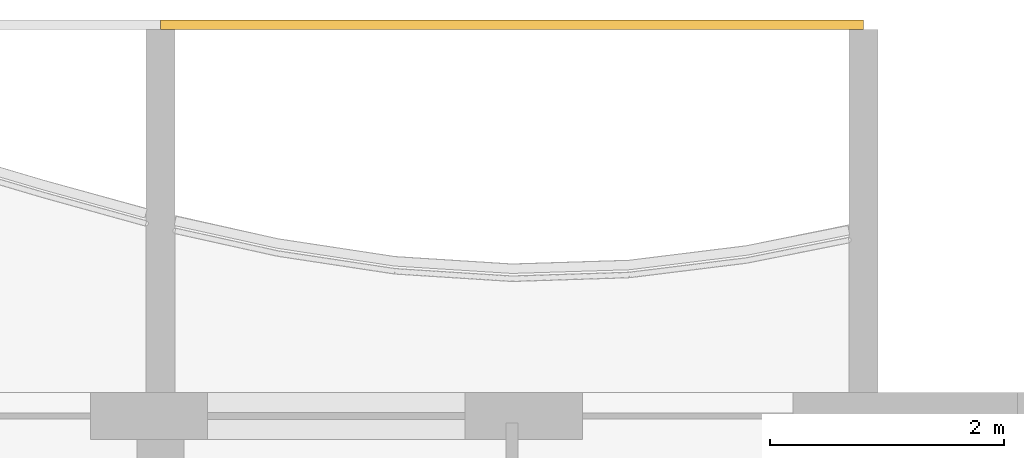
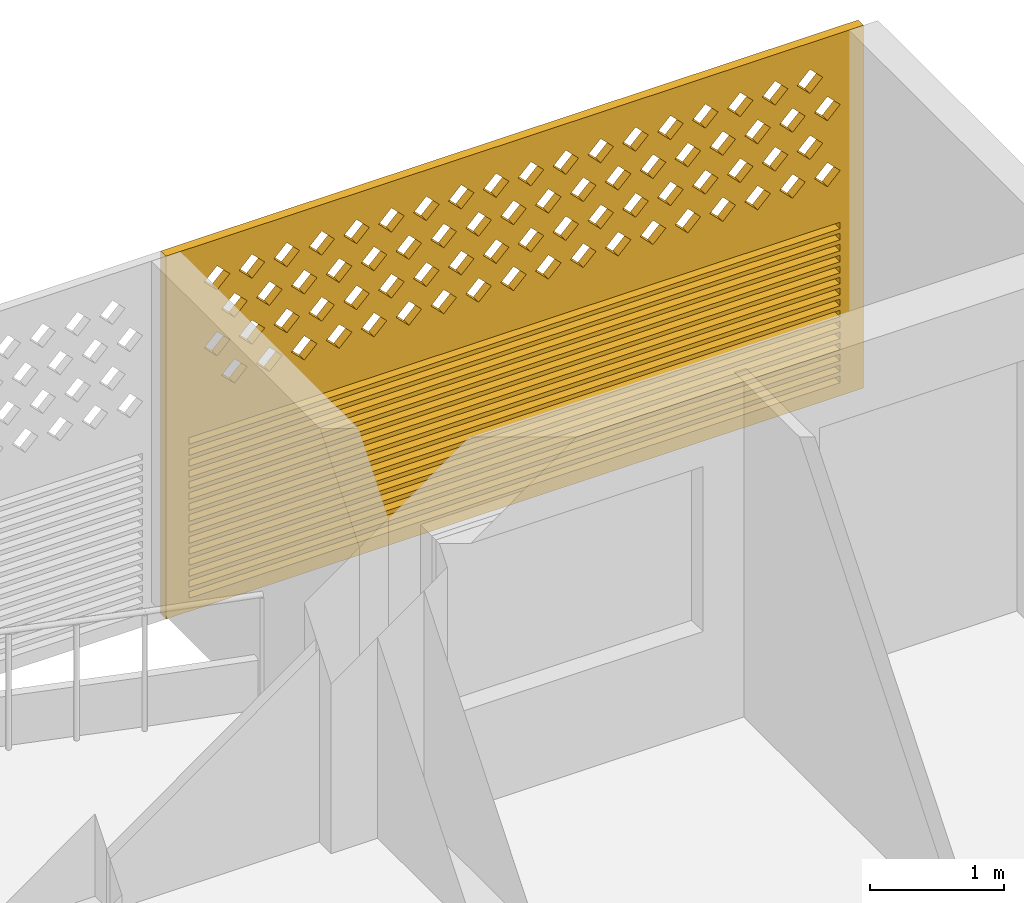
# One storey, part 40 of 40: 1 covering.
"""IFC4 building model written with IfcOpenShell, lengths in metres."""

from ifc_helpers import new_model, si_unit, direction, frame, origin, place, context, subcontext, project, spatial, polyline, outline, extrude, source, transform, mapped, material, material_profile, profile_set, type_object, element, save


model = new_model("IFC4")

# Units and contexts
model_context = context("Model", 3, precision=1e-05, world=origin(), true_north=direction((0.0, 1.0)))
body_context = subcontext(model_context, "Body", "Model", "MODEL_VIEW")
ifc_project = project(units=[si_unit("LENGTHUNIT", "METRE"), si_unit("AREAUNIT", "SQUARE_METRE"), si_unit("VOLUMEUNIT", "CUBIC_METRE"), si_unit("PLANEANGLEUNIT", "RADIAN"), si_unit("MASSUNIT", "GRAM", prefix="KILO")], contexts=[model_context])

# Site, building, storey
site_placement = place(None, origin())
site = spatial("IfcSite", under=ifc_project, at=site_placement, CompositionType="ELEMENT")
building_placement = place(site_placement, origin())
building = spatial("IfcBuilding", under=site, at=building_placement, Name="Poui Terraces", CompositionType="ELEMENT")
storey_placement = place(building_placement, frame((0.0, 0.0, 39.89990234375)))
storey = spatial("IfcBuildingStorey", under=building, at=storey_placement, Name="L10", CompositionType="ELEMENT", Elevation=39.89990234375)

# Covering
ifc_material = material(Name="Terracotta screen", Category="masonry")
ifc_material_profile = material_profile(ifc_material, outline(polyline([(-3.0, -1.64990234375), (3.0, -1.64990234375), (3.0, 1.64990234375), (-3.0, 1.64990234375), (-3.0, -1.64990234375)]), holes=[polyline([(-2.800048828125, 0.39990234375), (-2.68994140625, 0.2900390625), (-2.580078125, 0.39990234375), (-2.68994140625, 0.510009765625), (-2.800048828125, 0.39990234375)]), polyline([(-2.5, 0.39990234375), (-2.389892578125, 0.2900390625), (-2.280029296875, 0.39990234375), (-2.389892578125, 0.510009765625), (-2.5, 0.39990234375)]), polyline([(-2.199951171875, 0.39990234375), (-2.090087890625, 0.2900390625), (-1.97998046875, 0.39990234375), (-2.090087890625, 0.510009765625), (-2.199951171875, 0.39990234375)]), polyline([(-1.89990234375, 0.39990234375), (-1.7900390625, 0.2900390625), (-1.679931640625, 0.39990234375), (-1.7900390625, 0.510009765625), (-1.89990234375, 0.39990234375)]), polyline([(-1.60009765625, 0.39990234375), (-1.489990234375, 0.2900390625), (-1.3798828125, 0.39990234375), (-1.489990234375, 0.510009765625), (-1.60009765625, 0.39990234375)]), polyline([(-1.300048828125, 0.39990234375), (-1.18994140625, 0.2900390625), (-1.080078125, 0.39990234375), (-1.18994140625, 0.510009765625), (-1.300048828125, 0.39990234375)]), polyline([(-1.0, 0.39990234375), (-0.889892578125, 0.2900390625), (-0.780029296875, 0.39990234375), (-0.889892578125, 0.510009765625), (-1.0, 0.39990234375)]), polyline([(-0.699951171875, 0.39990234375), (-0.590087890625, 0.2900390625), (-0.47998046875, 0.39990234375), (-0.590087890625, 0.510009765625), (-0.699951171875, 0.39990234375)]), polyline([(-0.39990234375, 0.39990234375), (-0.2900390625, 0.2900390625), (-0.179931640625, 0.39990234375), (-0.2900390625, 0.510009765625), (-0.39990234375, 0.39990234375)]), polyline([(-0.10009765625, 0.39990234375), (0.010009765625, 0.2900390625), (0.1201171875, 0.39990234375), (0.010009765625, 0.510009765625), (-0.10009765625, 0.39990234375)]), polyline([(0.199951171875, 0.39990234375), (0.31005859375, 0.2900390625), (0.419921875, 0.39990234375), (0.31005859375, 0.510009765625), (0.199951171875, 0.39990234375)]), polyline([(0.5, 0.39990234375), (0.610107421875, 0.2900390625), (0.719970703125, 0.39990234375), (0.610107421875, 0.510009765625), (0.5, 0.39990234375)]), polyline([(0.800048828125, 0.39990234375), (0.909912109375, 0.2900390625), (1.02001953125, 0.39990234375), (0.909912109375, 0.510009765625), (0.800048828125, 0.39990234375)]), polyline([(1.10009765625, 0.39990234375), (1.2099609375, 0.2900390625), (1.320068359375, 0.39990234375), (1.2099609375, 0.510009765625), (1.10009765625, 0.39990234375)]), polyline([(1.39990234375, 0.39990234375), (1.510009765625, 0.2900390625), (1.6201171875, 0.39990234375), (1.510009765625, 0.510009765625), (1.39990234375, 0.39990234375)]), polyline([(1.699951171875, 0.39990234375), (1.81005859375, 0.2900390625), (1.919921875, 0.39990234375), (1.81005859375, 0.510009765625), (1.699951171875, 0.39990234375)]), polyline([(2.0, 0.39990234375), (2.110107421875, 0.2900390625), (2.219970703125, 0.39990234375), (2.110107421875, 0.510009765625), (2.0, 0.39990234375)]), polyline([(2.300048828125, 0.39990234375), (2.409912109375, 0.2900390625), (2.52001953125, 0.39990234375), (2.409912109375, 0.510009765625), (2.300048828125, 0.39990234375)]), polyline([(-2.64990234375, 0.699951171875), (-2.5400390625, 0.590087890625), (-2.429931640625, 0.699951171875), (-2.5400390625, 0.81005859375), (-2.64990234375, 0.699951171875)]), polyline([(-2.35009765625, 0.699951171875), (-2.239990234375, 0.590087890625), (-2.1298828125, 0.699951171875), (-2.239990234375, 0.81005859375), (-2.35009765625, 0.699951171875)]), polyline([(-2.050048828125, 0.699951171875), (-1.93994140625, 0.590087890625), (-1.830078125, 0.699951171875), (-1.93994140625, 0.81005859375), (-2.050048828125, 0.699951171875)]), polyline([(-1.75, 0.699951171875), (-1.639892578125, 0.590087890625), (-1.530029296875, 0.699951171875), (-1.639892578125, 0.81005859375), (-1.75, 0.699951171875)]), polyline([(-1.449951171875, 0.699951171875), (-1.340087890625, 0.590087890625), (-1.22998046875, 0.699951171875), (-1.340087890625, 0.81005859375), (-1.449951171875, 0.699951171875)]), polyline([(-1.14990234375, 0.699951171875), (-1.0400390625, 0.590087890625), (-0.929931640625, 0.699951171875), (-1.0400390625, 0.81005859375), (-1.14990234375, 0.699951171875)]), polyline([(-0.85009765625, 0.699951171875), (-0.739990234375, 0.590087890625), (-0.6298828125, 0.699951171875), (-0.739990234375, 0.81005859375), (-0.85009765625, 0.699951171875)]), polyline([(-0.550048828125, 0.699951171875), (-0.43994140625, 0.590087890625), (-0.330078125, 0.699951171875), (-0.43994140625, 0.81005859375), (-0.550048828125, 0.699951171875)]), polyline([(-0.25, 0.699951171875), (-0.139892578125, 0.590087890625), (-0.030029296875, 0.699951171875), (-0.139892578125, 0.81005859375), (-0.25, 0.699951171875)]), polyline([(0.050048828125, 0.699951171875), (0.159912109375, 0.590087890625), (0.27001953125, 0.699951171875), (0.159912109375, 0.81005859375), (0.050048828125, 0.699951171875)]), polyline([(0.35009765625, 0.699951171875), (0.4599609375, 0.590087890625), (0.570068359375, 0.699951171875), (0.4599609375, 0.81005859375), (0.35009765625, 0.699951171875)]), polyline([(0.64990234375, 0.699951171875), (0.760009765625, 0.590087890625), (0.8701171875, 0.699951171875), (0.760009765625, 0.81005859375), (0.64990234375, 0.699951171875)]), polyline([(0.949951171875, 0.699951171875), (1.06005859375, 0.590087890625), (1.169921875, 0.699951171875), (1.06005859375, 0.81005859375), (0.949951171875, 0.699951171875)]), polyline([(1.25, 0.699951171875), (1.360107421875, 0.590087890625), (1.469970703125, 0.699951171875), (1.360107421875, 0.81005859375), (1.25, 0.699951171875)]), polyline([(1.550048828125, 0.699951171875), (1.659912109375, 0.590087890625), (1.77001953125, 0.699951171875), (1.659912109375, 0.81005859375), (1.550048828125, 0.699951171875)]), polyline([(1.85009765625, 0.699951171875), (1.9599609375, 0.590087890625), (2.070068359375, 0.699951171875), (1.9599609375, 0.81005859375), (1.85009765625, 0.699951171875)]), polyline([(2.14990234375, 0.699951171875), (2.260009765625, 0.590087890625), (2.3701171875, 0.699951171875), (2.260009765625, 0.81005859375), (2.14990234375, 0.699951171875)]), polyline([(2.449951171875, 0.699951171875), (2.56005859375, 0.590087890625), (2.669921875, 0.699951171875), (2.56005859375, 0.81005859375), (2.449951171875, 0.699951171875)]), polyline([(-2.800048828125, 1.0), (-2.68994140625, 0.889892578125), (-2.580078125, 1.0), (-2.68994140625, 1.110107421875), (-2.800048828125, 1.0)]), polyline([(-2.5, 1.0), (-2.389892578125, 0.889892578125), (-2.280029296875, 1.0), (-2.389892578125, 1.110107421875), (-2.5, 1.0)]), polyline([(-2.199951171875, 1.0), (-2.090087890625, 0.889892578125), (-1.97998046875, 1.0), (-2.090087890625, 1.110107421875), (-2.199951171875, 1.0)]), polyline([(-1.89990234375, 1.0), (-1.7900390625, 0.889892578125), (-1.679931640625, 1.0), (-1.7900390625, 1.110107421875), (-1.89990234375, 1.0)]), polyline([(-1.60009765625, 1.0), (-1.489990234375, 0.889892578125), (-1.3798828125, 1.0), (-1.489990234375, 1.110107421875), (-1.60009765625, 1.0)]), polyline([(-1.300048828125, 1.0), (-1.18994140625, 0.889892578125), (-1.080078125, 1.0), (-1.18994140625, 1.110107421875), (-1.300048828125, 1.0)]), polyline([(-1.0, 1.0), (-0.889892578125, 0.889892578125), (-0.780029296875, 1.0), (-0.889892578125, 1.110107421875), (-1.0, 1.0)]), polyline([(-0.699951171875, 1.0), (-0.590087890625, 0.889892578125), (-0.47998046875, 1.0), (-0.590087890625, 1.110107421875), (-0.699951171875, 1.0)]), polyline([(-0.39990234375, 1.0), (-0.2900390625, 0.889892578125), (-0.179931640625, 1.0), (-0.2900390625, 1.110107421875), (-0.39990234375, 1.0)]), polyline([(-0.10009765625, 1.0), (0.010009765625, 0.889892578125), (0.1201171875, 1.0), (0.010009765625, 1.110107421875), (-0.10009765625, 1.0)]), polyline([(0.199951171875, 1.0), (0.31005859375, 0.889892578125), (0.419921875, 1.0), (0.31005859375, 1.110107421875), (0.199951171875, 1.0)]), polyline([(0.5, 1.0), (0.610107421875, 0.889892578125), (0.719970703125, 1.0), (0.610107421875, 1.110107421875), (0.5, 1.0)]), polyline([(0.800048828125, 1.0), (0.909912109375, 0.889892578125), (1.02001953125, 1.0), (0.909912109375, 1.110107421875), (0.800048828125, 1.0)]), polyline([(1.10009765625, 1.0), (1.2099609375, 0.889892578125), (1.320068359375, 1.0), (1.2099609375, 1.110107421875), (1.10009765625, 1.0)]), polyline([(1.39990234375, 1.0), (1.510009765625, 0.889892578125), (1.6201171875, 1.0), (1.510009765625, 1.110107421875), (1.39990234375, 1.0)]), polyline([(1.699951171875, 1.0), (1.81005859375, 0.889892578125), (1.919921875, 1.0), (1.81005859375, 1.110107421875), (1.699951171875, 1.0)]), polyline([(2.0, 1.0), (2.110107421875, 0.889892578125), (2.219970703125, 1.0), (2.110107421875, 1.110107421875), (2.0, 1.0)]), polyline([(2.300048828125, 1.0), (2.409912109375, 0.889892578125), (2.52001953125, 1.0), (2.409912109375, 1.110107421875), (2.300048828125, 1.0)]), polyline([(-2.64990234375, 1.300048828125), (-2.5400390625, 1.18994140625), (-2.429931640625, 1.300048828125), (-2.5400390625, 1.409912109375), (-2.64990234375, 1.300048828125)]), polyline([(-2.35009765625, 1.300048828125), (-2.239990234375, 1.18994140625), (-2.1298828125, 1.300048828125), (-2.239990234375, 1.409912109375), (-2.35009765625, 1.300048828125)]), polyline([(-2.050048828125, 1.300048828125), (-1.93994140625, 1.18994140625), (-1.830078125, 1.300048828125), (-1.93994140625, 1.409912109375), (-2.050048828125, 1.300048828125)]), polyline([(-1.75, 1.300048828125), (-1.639892578125, 1.18994140625), (-1.530029296875, 1.300048828125), (-1.639892578125, 1.409912109375), (-1.75, 1.300048828125)]), polyline([(-1.449951171875, 1.300048828125), (-1.340087890625, 1.18994140625), (-1.22998046875, 1.300048828125), (-1.340087890625, 1.409912109375), (-1.449951171875, 1.300048828125)]), polyline([(-1.14990234375, 1.300048828125), (-1.0400390625, 1.18994140625), (-0.929931640625, 1.300048828125), (-1.0400390625, 1.409912109375), (-1.14990234375, 1.300048828125)]), polyline([(-0.85009765625, 1.300048828125), (-0.739990234375, 1.18994140625), (-0.6298828125, 1.300048828125), (-0.739990234375, 1.409912109375), (-0.85009765625, 1.300048828125)]), polyline([(-0.550048828125, 1.300048828125), (-0.43994140625, 1.18994140625), (-0.330078125, 1.300048828125), (-0.43994140625, 1.409912109375), (-0.550048828125, 1.300048828125)]), polyline([(-0.25, 1.300048828125), (-0.139892578125, 1.18994140625), (-0.030029296875, 1.300048828125), (-0.139892578125, 1.409912109375), (-0.25, 1.300048828125)]), polyline([(0.050048828125, 1.300048828125), (0.159912109375, 1.18994140625), (0.27001953125, 1.300048828125), (0.159912109375, 1.409912109375), (0.050048828125, 1.300048828125)]), polyline([(0.35009765625, 1.300048828125), (0.4599609375, 1.18994140625), (0.570068359375, 1.300048828125), (0.4599609375, 1.409912109375), (0.35009765625, 1.300048828125)]), polyline([(0.64990234375, 1.300048828125), (0.760009765625, 1.18994140625), (0.8701171875, 1.300048828125), (0.760009765625, 1.409912109375), (0.64990234375, 1.300048828125)]), polyline([(0.949951171875, 1.300048828125), (1.06005859375, 1.18994140625), (1.169921875, 1.300048828125), (1.06005859375, 1.409912109375), (0.949951171875, 1.300048828125)]), polyline([(1.25, 1.300048828125), (1.360107421875, 1.18994140625), (1.469970703125, 1.300048828125), (1.360107421875, 1.409912109375), (1.25, 1.300048828125)]), polyline([(1.550048828125, 1.300048828125), (1.659912109375, 1.18994140625), (1.77001953125, 1.300048828125), (1.659912109375, 1.409912109375), (1.550048828125, 1.300048828125)]), polyline([(1.85009765625, 1.300048828125), (1.9599609375, 1.18994140625), (2.070068359375, 1.300048828125), (1.9599609375, 1.409912109375), (1.85009765625, 1.300048828125)]), polyline([(2.14990234375, 1.300048828125), (2.260009765625, 1.18994140625), (2.3701171875, 1.300048828125), (2.260009765625, 1.409912109375), (2.14990234375, 1.300048828125)]), polyline([(2.449951171875, 1.300048828125), (2.56005859375, 1.18994140625), (2.669921875, 1.300048828125), (2.56005859375, 1.409912109375), (2.449951171875, 1.300048828125)]), polyline([(-2.800048828125, -1.530029296875), (2.800048828125, -1.530029296875), (2.800048828125, -1.469970703125), (-2.800048828125, -1.469970703125), (-2.800048828125, -1.530029296875)]), polyline([(-2.800048828125, -1.429931640625), (2.800048828125, -1.429931640625), (2.800048828125, -1.3701171875), (-2.800048828125, -1.3701171875), (-2.800048828125, -1.429931640625)]), polyline([(-2.800048828125, -1.330078125), (2.800048828125, -1.330078125), (2.800048828125, -1.27001953125), (-2.800048828125, -1.27001953125), (-2.800048828125, -1.330078125)]), polyline([(-2.800048828125, -1.22998046875), (2.800048828125, -1.22998046875), (2.800048828125, -1.169921875), (-2.800048828125, -1.169921875), (-2.800048828125, -1.22998046875)]), polyline([(-2.800048828125, -1.1298828125), (2.800048828125, -1.1298828125), (2.800048828125, -1.070068359375), (-2.800048828125, -1.070068359375), (-2.800048828125, -1.1298828125)]), polyline([(-2.800048828125, -1.030029296875), (2.800048828125, -1.030029296875), (2.800048828125, -0.969970703125), (-2.800048828125, -0.969970703125), (-2.800048828125, -1.030029296875)]), polyline([(-2.800048828125, -0.929931640625), (2.800048828125, -0.929931640625), (2.800048828125, -0.8701171875), (-2.800048828125, -0.8701171875), (-2.800048828125, -0.929931640625)]), polyline([(-2.800048828125, -0.830078125), (2.800048828125, -0.830078125), (2.800048828125, -0.77001953125), (-2.800048828125, -0.77001953125), (-2.800048828125, -0.830078125)]), polyline([(-2.800048828125, -0.72998046875), (2.800048828125, -0.72998046875), (2.800048828125, -0.669921875), (-2.800048828125, -0.669921875), (-2.800048828125, -0.72998046875)]), polyline([(-2.800048828125, -0.6298828125), (2.800048828125, -0.6298828125), (2.800048828125, -0.570068359375), (-2.800048828125, -0.570068359375), (-2.800048828125, -0.6298828125)]), polyline([(-2.800048828125, -0.530029296875), (2.800048828125, -0.530029296875), (2.800048828125, -0.469970703125), (-2.800048828125, -0.469970703125), (-2.800048828125, -0.530029296875)]), polyline([(-2.800048828125, -0.429931640625), (2.800048828125, -0.429931640625), (2.800048828125, -0.3701171875), (-2.800048828125, -0.3701171875), (-2.800048828125, -0.429931640625)]), polyline([(-2.800048828125, -0.330078125), (2.800048828125, -0.330078125), (2.800048828125, -0.27001953125), (-2.800048828125, -0.27001953125), (-2.800048828125, -0.330078125)]), polyline([(-2.800048828125, -0.22998046875), (2.800048828125, -0.22998046875), (2.800048828125, -0.169921875), (-2.800048828125, -0.169921875), (-2.800048828125, -0.22998046875)]), polyline([(-2.800048828125, -0.1298828125), (2.800048828125, -0.1298828125), (2.800048828125, -0.070068359375), (-2.800048828125, -0.070068359375), (-2.800048828125, -0.1298828125)])]), Name="TERRACOTTA SCREEN AND JALOUSIE LOUVRE 6000X3300")
ifc_profile_set = profile_set([ifc_material_profile], Name="Terracotta screen")
covering_type = type_object("IfcCoveringType", Name="TERRACOTTA SCREEN AND JALOUSIE LOUVRE 6000X3300", PredefinedType="CLADDING", material=ifc_profile_set)
shared_shape = source(origin(), body_context, "Body", "SweptSolid", [
    extrude(outline(polyline([(-3.0, -1.64990234375), (3.0, -1.64990234375), (3.0, 1.64990234375), (-3.0, 1.64990234375), (-3.0, -1.64990234375)]), holes=[polyline([(-2.800048828125, 0.39990234375), (-2.68994140625, 0.2900390625), (-2.580078125, 0.39990234375), (-2.68994140625, 0.510009765625), (-2.800048828125, 0.39990234375)]), polyline([(-2.5, 0.39990234375), (-2.389892578125, 0.2900390625), (-2.280029296875, 0.39990234375), (-2.389892578125, 0.510009765625), (-2.5, 0.39990234375)]), polyline([(-2.199951171875, 0.39990234375), (-2.090087890625, 0.2900390625), (-1.97998046875, 0.39990234375), (-2.090087890625, 0.510009765625), (-2.199951171875, 0.39990234375)]), polyline([(-1.89990234375, 0.39990234375), (-1.7900390625, 0.2900390625), (-1.679931640625, 0.39990234375), (-1.7900390625, 0.510009765625), (-1.89990234375, 0.39990234375)]), polyline([(-1.60009765625, 0.39990234375), (-1.489990234375, 0.2900390625), (-1.3798828125, 0.39990234375), (-1.489990234375, 0.510009765625), (-1.60009765625, 0.39990234375)]), polyline([(-1.300048828125, 0.39990234375), (-1.18994140625, 0.2900390625), (-1.080078125, 0.39990234375), (-1.18994140625, 0.510009765625), (-1.300048828125, 0.39990234375)]), polyline([(-1.0, 0.39990234375), (-0.889892578125, 0.2900390625), (-0.780029296875, 0.39990234375), (-0.889892578125, 0.510009765625), (-1.0, 0.39990234375)]), polyline([(-0.699951171875, 0.39990234375), (-0.590087890625, 0.2900390625), (-0.47998046875, 0.39990234375), (-0.590087890625, 0.510009765625), (-0.699951171875, 0.39990234375)]), polyline([(-0.39990234375, 0.39990234375), (-0.2900390625, 0.2900390625), (-0.179931640625, 0.39990234375), (-0.2900390625, 0.510009765625), (-0.39990234375, 0.39990234375)]), polyline([(-0.10009765625, 0.39990234375), (0.010009765625, 0.2900390625), (0.1201171875, 0.39990234375), (0.010009765625, 0.510009765625), (-0.10009765625, 0.39990234375)]), polyline([(0.199951171875, 0.39990234375), (0.31005859375, 0.2900390625), (0.419921875, 0.39990234375), (0.31005859375, 0.510009765625), (0.199951171875, 0.39990234375)]), polyline([(0.5, 0.39990234375), (0.610107421875, 0.2900390625), (0.719970703125, 0.39990234375), (0.610107421875, 0.510009765625), (0.5, 0.39990234375)]), polyline([(0.800048828125, 0.39990234375), (0.909912109375, 0.2900390625), (1.02001953125, 0.39990234375), (0.909912109375, 0.510009765625), (0.800048828125, 0.39990234375)]), polyline([(1.10009765625, 0.39990234375), (1.2099609375, 0.2900390625), (1.320068359375, 0.39990234375), (1.2099609375, 0.510009765625), (1.10009765625, 0.39990234375)]), polyline([(1.39990234375, 0.39990234375), (1.510009765625, 0.2900390625), (1.6201171875, 0.39990234375), (1.510009765625, 0.510009765625), (1.39990234375, 0.39990234375)]), polyline([(1.699951171875, 0.39990234375), (1.81005859375, 0.2900390625), (1.919921875, 0.39990234375), (1.81005859375, 0.510009765625), (1.699951171875, 0.39990234375)]), polyline([(2.0, 0.39990234375), (2.110107421875, 0.2900390625), (2.219970703125, 0.39990234375), (2.110107421875, 0.510009765625), (2.0, 0.39990234375)]), polyline([(2.300048828125, 0.39990234375), (2.409912109375, 0.2900390625), (2.52001953125, 0.39990234375), (2.409912109375, 0.510009765625), (2.300048828125, 0.39990234375)]), polyline([(-2.64990234375, 0.699951171875), (-2.5400390625, 0.590087890625), (-2.429931640625, 0.699951171875), (-2.5400390625, 0.81005859375), (-2.64990234375, 0.699951171875)]), polyline([(-2.35009765625, 0.699951171875), (-2.239990234375, 0.590087890625), (-2.1298828125, 0.699951171875), (-2.239990234375, 0.81005859375), (-2.35009765625, 0.699951171875)]), polyline([(-2.050048828125, 0.699951171875), (-1.93994140625, 0.590087890625), (-1.830078125, 0.699951171875), (-1.93994140625, 0.81005859375), (-2.050048828125, 0.699951171875)]), polyline([(-1.75, 0.699951171875), (-1.639892578125, 0.590087890625), (-1.530029296875, 0.699951171875), (-1.639892578125, 0.81005859375), (-1.75, 0.699951171875)]), polyline([(-1.449951171875, 0.699951171875), (-1.340087890625, 0.590087890625), (-1.22998046875, 0.699951171875), (-1.340087890625, 0.81005859375), (-1.449951171875, 0.699951171875)]), polyline([(-1.14990234375, 0.699951171875), (-1.0400390625, 0.590087890625), (-0.929931640625, 0.699951171875), (-1.0400390625, 0.81005859375), (-1.14990234375, 0.699951171875)]), polyline([(-0.85009765625, 0.699951171875), (-0.739990234375, 0.590087890625), (-0.6298828125, 0.699951171875), (-0.739990234375, 0.81005859375), (-0.85009765625, 0.699951171875)]), polyline([(-0.550048828125, 0.699951171875), (-0.43994140625, 0.590087890625), (-0.330078125, 0.699951171875), (-0.43994140625, 0.81005859375), (-0.550048828125, 0.699951171875)]), polyline([(-0.25, 0.699951171875), (-0.139892578125, 0.590087890625), (-0.030029296875, 0.699951171875), (-0.139892578125, 0.81005859375), (-0.25, 0.699951171875)]), polyline([(0.050048828125, 0.699951171875), (0.159912109375, 0.590087890625), (0.27001953125, 0.699951171875), (0.159912109375, 0.81005859375), (0.050048828125, 0.699951171875)]), polyline([(0.35009765625, 0.699951171875), (0.4599609375, 0.590087890625), (0.570068359375, 0.699951171875), (0.4599609375, 0.81005859375), (0.35009765625, 0.699951171875)]), polyline([(0.64990234375, 0.699951171875), (0.760009765625, 0.590087890625), (0.8701171875, 0.699951171875), (0.760009765625, 0.81005859375), (0.64990234375, 0.699951171875)]), polyline([(0.949951171875, 0.699951171875), (1.06005859375, 0.590087890625), (1.169921875, 0.699951171875), (1.06005859375, 0.81005859375), (0.949951171875, 0.699951171875)]), polyline([(1.25, 0.699951171875), (1.360107421875, 0.590087890625), (1.469970703125, 0.699951171875), (1.360107421875, 0.81005859375), (1.25, 0.699951171875)]), polyline([(1.550048828125, 0.699951171875), (1.659912109375, 0.590087890625), (1.77001953125, 0.699951171875), (1.659912109375, 0.81005859375), (1.550048828125, 0.699951171875)]), polyline([(1.85009765625, 0.699951171875), (1.9599609375, 0.590087890625), (2.070068359375, 0.699951171875), (1.9599609375, 0.81005859375), (1.85009765625, 0.699951171875)]), polyline([(2.14990234375, 0.699951171875), (2.260009765625, 0.590087890625), (2.3701171875, 0.699951171875), (2.260009765625, 0.81005859375), (2.14990234375, 0.699951171875)]), polyline([(2.449951171875, 0.699951171875), (2.56005859375, 0.590087890625), (2.669921875, 0.699951171875), (2.56005859375, 0.81005859375), (2.449951171875, 0.699951171875)]), polyline([(-2.800048828125, 1.0), (-2.68994140625, 0.889892578125), (-2.580078125, 1.0), (-2.68994140625, 1.110107421875), (-2.800048828125, 1.0)]), polyline([(-2.5, 1.0), (-2.389892578125, 0.889892578125), (-2.280029296875, 1.0), (-2.389892578125, 1.110107421875), (-2.5, 1.0)]), polyline([(-2.199951171875, 1.0), (-2.090087890625, 0.889892578125), (-1.97998046875, 1.0), (-2.090087890625, 1.110107421875), (-2.199951171875, 1.0)]), polyline([(-1.89990234375, 1.0), (-1.7900390625, 0.889892578125), (-1.679931640625, 1.0), (-1.7900390625, 1.110107421875), (-1.89990234375, 1.0)]), polyline([(-1.60009765625, 1.0), (-1.489990234375, 0.889892578125), (-1.3798828125, 1.0), (-1.489990234375, 1.110107421875), (-1.60009765625, 1.0)]), polyline([(-1.300048828125, 1.0), (-1.18994140625, 0.889892578125), (-1.080078125, 1.0), (-1.18994140625, 1.110107421875), (-1.300048828125, 1.0)]), polyline([(-1.0, 1.0), (-0.889892578125, 0.889892578125), (-0.780029296875, 1.0), (-0.889892578125, 1.110107421875), (-1.0, 1.0)]), polyline([(-0.699951171875, 1.0), (-0.590087890625, 0.889892578125), (-0.47998046875, 1.0), (-0.590087890625, 1.110107421875), (-0.699951171875, 1.0)]), polyline([(-0.39990234375, 1.0), (-0.2900390625, 0.889892578125), (-0.179931640625, 1.0), (-0.2900390625, 1.110107421875), (-0.39990234375, 1.0)]), polyline([(-0.10009765625, 1.0), (0.010009765625, 0.889892578125), (0.1201171875, 1.0), (0.010009765625, 1.110107421875), (-0.10009765625, 1.0)]), polyline([(0.199951171875, 1.0), (0.31005859375, 0.889892578125), (0.419921875, 1.0), (0.31005859375, 1.110107421875), (0.199951171875, 1.0)]), polyline([(0.5, 1.0), (0.610107421875, 0.889892578125), (0.719970703125, 1.0), (0.610107421875, 1.110107421875), (0.5, 1.0)]), polyline([(0.800048828125, 1.0), (0.909912109375, 0.889892578125), (1.02001953125, 1.0), (0.909912109375, 1.110107421875), (0.800048828125, 1.0)]), polyline([(1.10009765625, 1.0), (1.2099609375, 0.889892578125), (1.320068359375, 1.0), (1.2099609375, 1.110107421875), (1.10009765625, 1.0)]), polyline([(1.39990234375, 1.0), (1.510009765625, 0.889892578125), (1.6201171875, 1.0), (1.510009765625, 1.110107421875), (1.39990234375, 1.0)]), polyline([(1.699951171875, 1.0), (1.81005859375, 0.889892578125), (1.919921875, 1.0), (1.81005859375, 1.110107421875), (1.699951171875, 1.0)]), polyline([(2.0, 1.0), (2.110107421875, 0.889892578125), (2.219970703125, 1.0), (2.110107421875, 1.110107421875), (2.0, 1.0)]), polyline([(2.300048828125, 1.0), (2.409912109375, 0.889892578125), (2.52001953125, 1.0), (2.409912109375, 1.110107421875), (2.300048828125, 1.0)]), polyline([(-2.64990234375, 1.300048828125), (-2.5400390625, 1.18994140625), (-2.429931640625, 1.300048828125), (-2.5400390625, 1.409912109375), (-2.64990234375, 1.300048828125)]), polyline([(-2.35009765625, 1.300048828125), (-2.239990234375, 1.18994140625), (-2.1298828125, 1.300048828125), (-2.239990234375, 1.409912109375), (-2.35009765625, 1.300048828125)]), polyline([(-2.050048828125, 1.300048828125), (-1.93994140625, 1.18994140625), (-1.830078125, 1.300048828125), (-1.93994140625, 1.409912109375), (-2.050048828125, 1.300048828125)]), polyline([(-1.75, 1.300048828125), (-1.639892578125, 1.18994140625), (-1.530029296875, 1.300048828125), (-1.639892578125, 1.409912109375), (-1.75, 1.300048828125)]), polyline([(-1.449951171875, 1.300048828125), (-1.340087890625, 1.18994140625), (-1.22998046875, 1.300048828125), (-1.340087890625, 1.409912109375), (-1.449951171875, 1.300048828125)]), polyline([(-1.14990234375, 1.300048828125), (-1.0400390625, 1.18994140625), (-0.929931640625, 1.300048828125), (-1.0400390625, 1.409912109375), (-1.14990234375, 1.300048828125)]), polyline([(-0.85009765625, 1.300048828125), (-0.739990234375, 1.18994140625), (-0.6298828125, 1.300048828125), (-0.739990234375, 1.409912109375), (-0.85009765625, 1.300048828125)]), polyline([(-0.550048828125, 1.300048828125), (-0.43994140625, 1.18994140625), (-0.330078125, 1.300048828125), (-0.43994140625, 1.409912109375), (-0.550048828125, 1.300048828125)]), polyline([(-0.25, 1.300048828125), (-0.139892578125, 1.18994140625), (-0.030029296875, 1.300048828125), (-0.139892578125, 1.409912109375), (-0.25, 1.300048828125)]), polyline([(0.050048828125, 1.300048828125), (0.159912109375, 1.18994140625), (0.27001953125, 1.300048828125), (0.159912109375, 1.409912109375), (0.050048828125, 1.300048828125)]), polyline([(0.35009765625, 1.300048828125), (0.4599609375, 1.18994140625), (0.570068359375, 1.300048828125), (0.4599609375, 1.409912109375), (0.35009765625, 1.300048828125)]), polyline([(0.64990234375, 1.300048828125), (0.760009765625, 1.18994140625), (0.8701171875, 1.300048828125), (0.760009765625, 1.409912109375), (0.64990234375, 1.300048828125)]), polyline([(0.949951171875, 1.300048828125), (1.06005859375, 1.18994140625), (1.169921875, 1.300048828125), (1.06005859375, 1.409912109375), (0.949951171875, 1.300048828125)]), polyline([(1.25, 1.300048828125), (1.360107421875, 1.18994140625), (1.469970703125, 1.300048828125), (1.360107421875, 1.409912109375), (1.25, 1.300048828125)]), polyline([(1.550048828125, 1.300048828125), (1.659912109375, 1.18994140625), (1.77001953125, 1.300048828125), (1.659912109375, 1.409912109375), (1.550048828125, 1.300048828125)]), polyline([(1.85009765625, 1.300048828125), (1.9599609375, 1.18994140625), (2.070068359375, 1.300048828125), (1.9599609375, 1.409912109375), (1.85009765625, 1.300048828125)]), polyline([(2.14990234375, 1.300048828125), (2.260009765625, 1.18994140625), (2.3701171875, 1.300048828125), (2.260009765625, 1.409912109375), (2.14990234375, 1.300048828125)]), polyline([(2.449951171875, 1.300048828125), (2.56005859375, 1.18994140625), (2.669921875, 1.300048828125), (2.56005859375, 1.409912109375), (2.449951171875, 1.300048828125)]), polyline([(-2.800048828125, -1.530029296875), (2.800048828125, -1.530029296875), (2.800048828125, -1.469970703125), (-2.800048828125, -1.469970703125), (-2.800048828125, -1.530029296875)]), polyline([(-2.800048828125, -1.429931640625), (2.800048828125, -1.429931640625), (2.800048828125, -1.3701171875), (-2.800048828125, -1.3701171875), (-2.800048828125, -1.429931640625)]), polyline([(-2.800048828125, -1.330078125), (2.800048828125, -1.330078125), (2.800048828125, -1.27001953125), (-2.800048828125, -1.27001953125), (-2.800048828125, -1.330078125)]), polyline([(-2.800048828125, -1.22998046875), (2.800048828125, -1.22998046875), (2.800048828125, -1.169921875), (-2.800048828125, -1.169921875), (-2.800048828125, -1.22998046875)]), polyline([(-2.800048828125, -1.1298828125), (2.800048828125, -1.1298828125), (2.800048828125, -1.070068359375), (-2.800048828125, -1.070068359375), (-2.800048828125, -1.1298828125)]), polyline([(-2.800048828125, -1.030029296875), (2.800048828125, -1.030029296875), (2.800048828125, -0.969970703125), (-2.800048828125, -0.969970703125), (-2.800048828125, -1.030029296875)]), polyline([(-2.800048828125, -0.929931640625), (2.800048828125, -0.929931640625), (2.800048828125, -0.8701171875), (-2.800048828125, -0.8701171875), (-2.800048828125, -0.929931640625)]), polyline([(-2.800048828125, -0.830078125), (2.800048828125, -0.830078125), (2.800048828125, -0.77001953125), (-2.800048828125, -0.77001953125), (-2.800048828125, -0.830078125)]), polyline([(-2.800048828125, -0.72998046875), (2.800048828125, -0.72998046875), (2.800048828125, -0.669921875), (-2.800048828125, -0.669921875), (-2.800048828125, -0.72998046875)]), polyline([(-2.800048828125, -0.6298828125), (2.800048828125, -0.6298828125), (2.800048828125, -0.570068359375), (-2.800048828125, -0.570068359375), (-2.800048828125, -0.6298828125)]), polyline([(-2.800048828125, -0.530029296875), (2.800048828125, -0.530029296875), (2.800048828125, -0.469970703125), (-2.800048828125, -0.469970703125), (-2.800048828125, -0.530029296875)]), polyline([(-2.800048828125, -0.429931640625), (2.800048828125, -0.429931640625), (2.800048828125, -0.3701171875), (-2.800048828125, -0.3701171875), (-2.800048828125, -0.429931640625)]), polyline([(-2.800048828125, -0.330078125), (2.800048828125, -0.330078125), (2.800048828125, -0.27001953125), (-2.800048828125, -0.27001953125), (-2.800048828125, -0.330078125)]), polyline([(-2.800048828125, -0.22998046875), (2.800048828125, -0.22998046875), (2.800048828125, -0.169921875), (-2.800048828125, -0.169921875), (-2.800048828125, -0.22998046875)]), polyline([(-2.800048828125, -0.1298828125), (2.800048828125, -0.1298828125), (2.800048828125, -0.070068359375), (-2.800048828125, -0.070068359375), (-2.800048828125, -0.1298828125)])]), origin(), (0.0, 0.0, 1.0), 0.079833984375),
])
covering_placement = place(storey_placement, frame((93.0, 48.10009765625, 1.4501953125), z_axis=(0.0, 1.0, 0.0), x_axis=(-1.0, 0.0, 0.0)))
element("IfcCovering", 1, at=covering_placement, inside=storey, type_object=covering_type, Name="SOLAR SCREEN AND JALOUSIE LOUVRE", PredefinedType="CLADDING", context=body_context, shape_type="MappedRepresentation", body=[
    mapped(shared_shape, transform((0.0, 0.0, 0.0))),
])

save(model, "model.ifc")
